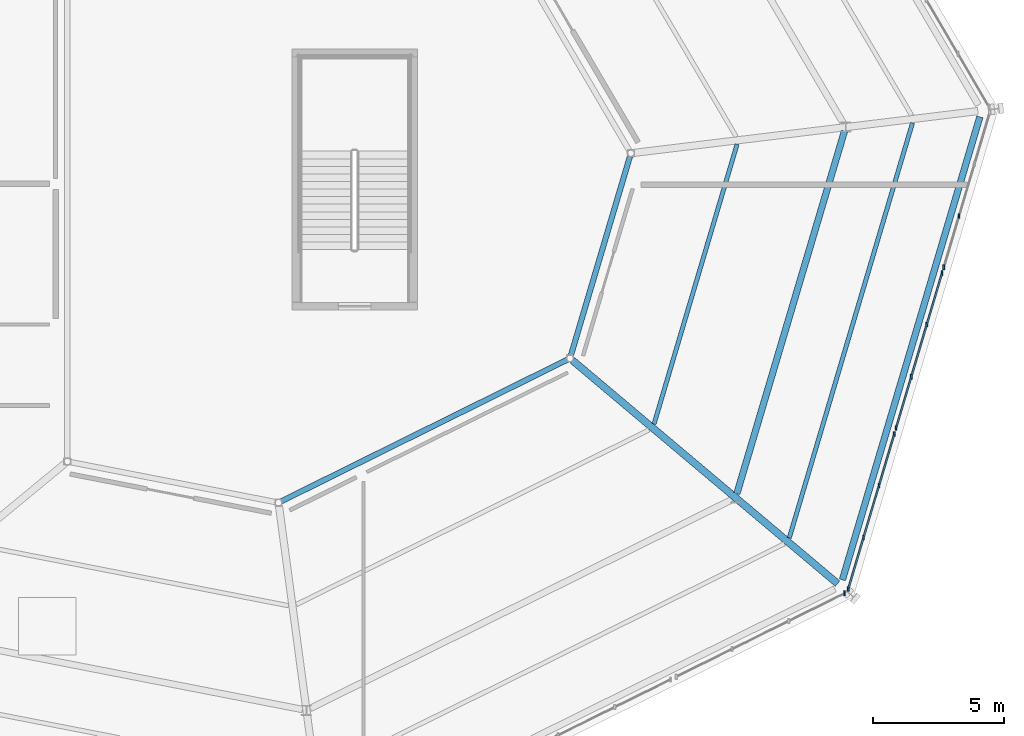
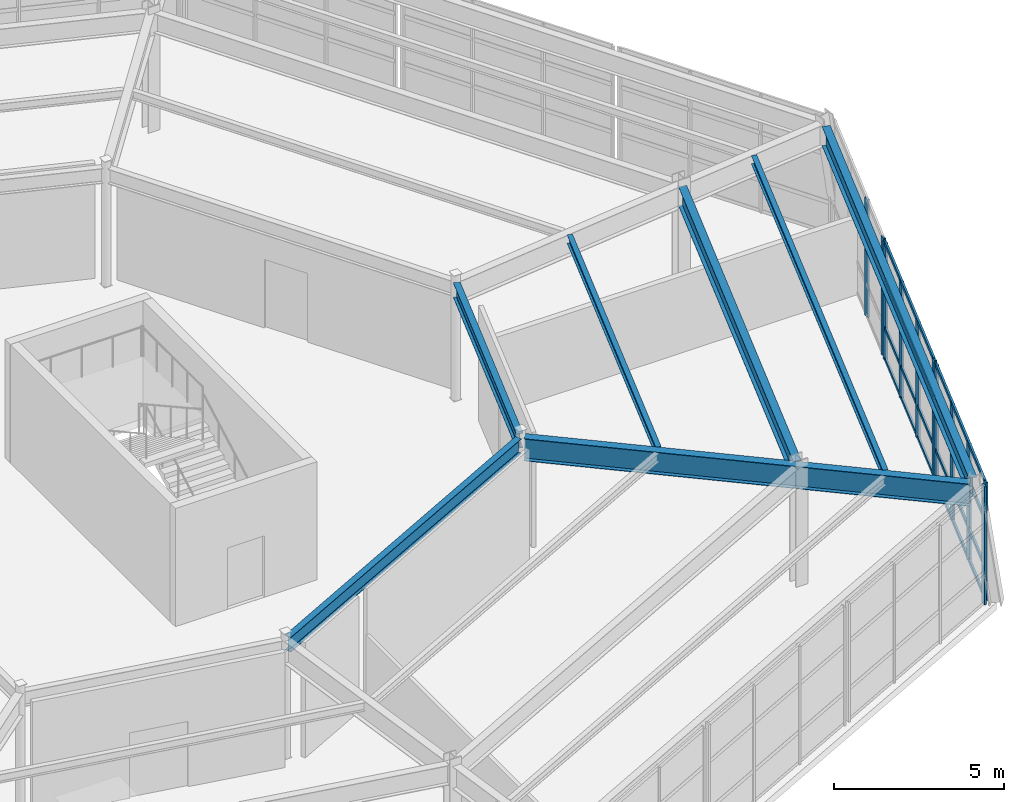
# One storey, part 45 of 88: 19 members, 7 beams, 4 elements without a shape of their own.
"""IFC4 building model written with IfcOpenShell, lengths in metres."""

from ifc_helpers import new_model, si_unit, direction, frame, origin, origin_2d, place, context, subcontext, project, spatial, rectangle, i_section, extrude, material, material_profile, profile_set, type_object, element, aggregate, save


model = new_model("IFC4")

# Units and contexts
model_context = context("Model", 3, precision=1e-05, world=origin(), true_north=direction((0.0, 1.0)))
body_context = subcontext(model_context, "Body", "Model", "MODEL_VIEW")
ifc_project = project(units=[si_unit("LENGTHUNIT", "METRE"), si_unit("AREAUNIT", "SQUARE_METRE"), si_unit("VOLUMEUNIT", "CUBIC_METRE"), si_unit("PLANEANGLEUNIT", "RADIAN"), si_unit("MASSUNIT", "GRAM", prefix="KILO")], contexts=[model_context])

# Site, building, storey
site_placement = place(None, origin())
site = spatial("IfcSite", under=ifc_project, at=site_placement, CompositionType="ELEMENT")
building_placement = place(site_placement, origin())
building = spatial("IfcBuilding", under=site, at=building_placement, Name="Sarnbrook Museum", CompositionType="ELEMENT")
storey_placement = place(building_placement, frame((0.0, 0.0, 10.10009765625)))
storey = spatial("IfcBuildingStorey", under=building, at=storey_placement, Name="L02", CompositionType="ELEMENT", Elevation=10.10009765625)

# Beams
ifc_material_1 = material(Name="Structural Steel Grade 300PLUS (AS/NZS 3679.1, fy = 280 MPa for 17 < t <= 40 mm, 300 MPa for t <= 17 mm)", Category="steel")
ifc_material_profile_1 = material_profile(ifc_material_1, i_section(OverallWidth=0.208984375, OverallDepth=0.532958984375, WebThickness=0.01025390625, FlangeThickness=0.015625, FilletRadius=0.013916015625, at=origin_2d()), Name="530UB92.4")
ifc_profile_set_1 = profile_set([ifc_material_profile_1], Name="Structural Steel Grade 300PLUS (AS/NZS 3679.1, fy = 280 MPa for 17 < t <= 40 mm, 300 MPa for t <= 17 mm)")
beam_type_1 = type_object("IfcBeamType", Name="BM-UB530", PredefinedType="BEAM", material=ifc_profile_set_1)
beam_1_placement = place(storey_placement, frame((140.99462890625, 72.882080078125, 3.973388671875), z_axis=(0.896163006555, 0.443724988796, 0.0), x_axis=(-0.443724988796, 0.896163006555, 0.0)))
element("IfcBeam", 1, at=beam_1_placement, inside=storey, type_object=beam_type_1, Name="Crystal Hall R2 Ring Girder 2 L02", PredefinedType="BEAM", context=body_context, shape_type="SweptSolid", body=[
    extrude(i_section(OverallWidth=0.208984375, OverallDepth=0.532958984375, WebThickness=0.01025390625, FlangeThickness=0.015625, FilletRadius=0.013916015625, at=origin_2d()), origin(), (0.0, 0.0, 1.0), 12.216796875),
])
beam_2_placement = place(storey_placement, frame((152.08447265625, 78.47119140625, 3.973388671875), z_axis=(0.284603578138, 0.958645295879, 0.0), x_axis=(-0.958645295879, 0.284603578138, 0.0)))
element("IfcBeam", 2, at=beam_2_placement, inside=storey, type_object=beam_type_1, Name="Crystal Hall R2 Ring Girder 3 L02", PredefinedType="BEAM", context=body_context, shape_type="SweptSolid", body=[
    extrude(i_section(OverallWidth=0.208984375, OverallDepth=0.532958984375, WebThickness=0.01025390625, FlangeThickness=0.015625, FilletRadius=0.013916015625, at=origin_2d()), origin(), (0.0, 0.0, 1.0), 7.952880859375),
])
ifc_material_2 = material(Name="Structural Steel Grade 350L0 (AS/NZS 3678, fy = 340 MPa for 20 < t <= 40 mm)", Category="steel")
ifc_material_profile_2 = material_profile(ifc_material_2, i_section(OverallWidth=0.25, OverallDepth=0.699951171875, WebThickness=0.010009765625, FlangeThickness=0.01611328125, at=origin_2d()), Name="700WB130")
ifc_profile_set_2 = profile_set([ifc_material_profile_2], Name="Structural Steel Grade 350L0 (AS/NZS 3678, fy = 340 MPa for 20 < t <= 40 mm)")
beam_type_2 = type_object("IfcBeamType", Name="BM-WB700", PredefinedType="BEAM", material=ifc_profile_set_2)
beam_3_placement = place(storey_placement, frame((162.482421875, 69.872314453125, 3.889892578125), z_axis=(0.284594308326, 0.958648047862, 0.0), x_axis=(-0.958648047862, 0.284594308326, 0.0)))
element("IfcBeam", 3, at=beam_3_placement, inside=storey, type_object=beam_type_2, Name="Crystal Hall Perimeter Ring Girder 3 L02", PredefinedType="BEAM", context=body_context, shape_type="SweptSolid", body=[
    extrude(i_section(OverallWidth=0.25, OverallDepth=0.699951171875, WebThickness=0.010009765625, FlangeThickness=0.01611328125, at=origin_2d()), origin(), (0.0, 0.0, 1.0), 18.4970703125),
])
beam_4_placement = place(storey_placement, frame((158.438232421875, 73.169189453125, 3.889892578125), z_axis=(0.284607000201, 0.958644279927, 0.0), x_axis=(-0.958644279927, 0.284607000201, 0.0)))
element("IfcBeam", 4, at=beam_4_placement, inside=storey, type_object=beam_type_2, Name="Crystal Hall R1 Ring Girder 3 L02", PredefinedType="BEAM", context=body_context, shape_type="SweptSolid", body=[
    extrude(i_section(OverallWidth=0.25, OverallDepth=0.699951171875, WebThickness=0.010009765625, FlangeThickness=0.01611328125, at=origin_2d()), origin(), (0.0, 0.0, 1.0), 14.48681640625),
])
ifc_material_profile_3 = material_profile(ifc_material_2, i_section(OverallWidth=0.27490234375, OverallDepth=0.800048828125, WebThickness=0.010009765625, FlangeThickness=0.01611328125, at=origin_2d()), Name="800WB146")
ifc_profile_set_3 = profile_set([ifc_material_profile_3], Name="Structural Steel Grade 350L0 (AS/NZS 3678, fy = 340 MPa for 20 < t <= 40 mm)")
beam_type_3 = type_object("IfcBeamType", Name="CR-CANT", PredefinedType="BEAM", material=ifc_profile_set_3)
beam_5_placement = place(storey_placement, frame((152.14208984375, 78.27880859375, 3.83984375), z_axis=(0.764964136159, -0.644072876615, 0.0), x_axis=(0.644072876615, 0.764964136159, 0.0)))
element("IfcBeam", 5, at=beam_5_placement, inside=storey, type_object=beam_type_3, Name="Crystal Hall Radial Cantilever Girder 3 L02", PredefinedType="BEAM", context=body_context, shape_type="SweptSolid", body=[
    extrude(i_section(OverallWidth=0.27490234375, OverallDepth=0.800048828125, WebThickness=0.010009765625, FlangeThickness=0.01611328125, at=origin_2d()), origin(), (0.0, 0.0, 1.0), 13.274169921875),
])

# Curtain wall, member
ifc_material_3 = material(Name="Thermally Broken Anodised Aluminium 6063-T6", Category="aluminium")
curtain_wall_type = type_object("IfcCurtainWallType", Name="CurtainWall_CrystalFacet", PredefinedType="NOTDEFINED", material=ifc_material_3)
curtain_wall_1_placement = place(storey_placement, origin())
curtain_wall_1 = element("IfcCurtainWall", 6, at=curtain_wall_1_placement, inside=storey, type_object=curtain_wall_type, Name="Crystal Hall Facet Curtain Wall L02-F2.3", PredefinedType="NOTDEFINED")
ifc_material_profile_4 = material_profile(ifc_material_3, rectangle(XDim=0.06494140625, YDim=0.179931640625, at=origin_2d()), Name="ALU MULLION 65x180")
ifc_profile_set_4 = profile_set([ifc_material_profile_4], Name="Thermally Broken Anodised Aluminium 6063-T6")
member_type_1 = type_object("IfcMemberType", Name="CW_Mullion_180x75", PredefinedType="MULLION", material=ifc_profile_set_4)
member_1_placement = place(storey_placement, frame((162.565185546875, 69.359130859375, 0.0), z_axis=(0.0, 0.0, 1.0), x_axis=(1.0, 0.0, 0.0)))
member_1 = element("IfcMember", 7, at=member_1_placement, type_object=member_type_1, Name="Crystal Hall Facet Curtain Wall L02-F2.3 Mullion 4", PredefinedType="MULLION", context=body_context, shape_type="SweptSolid", body=[
    extrude(rectangle(XDim=0.06494140625, YDim=0.179931640625, at=origin_2d()), origin(), (0.0, 0.0, 1.0), 4.239990234375),
])
aggregate(curtain_wall_1, [member_1])

# Curtain wall, members
curtain_wall_2_placement = place(storey_placement, origin())
curtain_wall_2 = element("IfcCurtainWall", 8, at=curtain_wall_2_placement, inside=storey, type_object=curtain_wall_type, Name="Crystal Hall Facet Curtain Wall L02-F3.1", PredefinedType="NOTDEFINED")
member_2_placement = place(storey_placement, frame((162.706787109375, 69.52734375, 0.0), z_axis=(0.0, 0.0, 1.0), x_axis=(1.0, 0.0, 0.0)))
member_2 = element("IfcMember", 9, at=member_2_placement, type_object=member_type_1, Name="Crystal Hall Facet Curtain Wall L02-F3.1 Mullion 1", PredefinedType="MULLION", context=body_context, shape_type="SweptSolid", body=[
    extrude(rectangle(XDim=0.06494140625, YDim=0.179931640625, at=origin_2d()), origin(), (0.0, 0.0, 1.0), 4.239990234375),
])
member_3_placement = place(storey_placement, frame((163.28955078125, 71.490478515625, 0.0), z_axis=(0.0, 0.0, 1.0), x_axis=(1.0, 0.0, 0.0)))
member_3 = element("IfcMember", 10, at=member_3_placement, type_object=member_type_1, Name="Crystal Hall Facet Curtain Wall L02-F3.1 Mullion 2", PredefinedType="MULLION", context=body_context, shape_type="SweptSolid", body=[
    extrude(rectangle(XDim=0.06494140625, YDim=0.179931640625, at=origin_2d()), origin(), (0.0, 0.0, 1.0), 4.239990234375),
])
member_4_placement = place(storey_placement, frame((163.8837890625, 73.491943359375, 0.0), z_axis=(0.0, 0.0, 1.0), x_axis=(1.0, 0.0, 0.0)))
member_4 = element("IfcMember", 11, at=member_4_placement, type_object=member_type_1, Name="Crystal Hall Facet Curtain Wall L02-F3.1 Mullion 3", PredefinedType="MULLION", context=body_context, shape_type="SweptSolid", body=[
    extrude(rectangle(XDim=0.06494140625, YDim=0.179931640625, at=origin_2d()), origin(), (0.0, 0.0, 1.0), 4.239990234375),
])
member_5_placement = place(storey_placement, frame((164.466552734375, 75.455078125, 0.0), z_axis=(0.0, 0.0, 1.0), x_axis=(1.0, 0.0, 0.0)))
member_5 = element("IfcMember", 12, at=member_5_placement, type_object=member_type_1, Name="Crystal Hall Facet Curtain Wall L02-F3.1 Mullion 4", PredefinedType="MULLION", context=body_context, shape_type="SweptSolid", body=[
    extrude(rectangle(XDim=0.06494140625, YDim=0.179931640625, at=origin_2d()), origin(), (0.0, 0.0, 1.0), 4.239990234375),
])

curtain_wall_3_placement = place(storey_placement, origin())
curtain_wall_3 = element("IfcCurtainWall", 13, at=curtain_wall_3_placement, inside=storey, type_object=curtain_wall_type, Name="Crystal Hall Facet Curtain Wall L02-F3.2", PredefinedType="NOTDEFINED")
member_6_placement = place(storey_placement, frame((164.534912109375, 75.68505859375, 0.0), z_axis=(0.0, 0.0, 1.0), x_axis=(1.0, 0.0, 0.0)))
member_6 = element("IfcMember", 14, at=member_6_placement, type_object=member_type_1, Name="Crystal Hall Facet Curtain Wall L02-F3.2 Mullion 1", PredefinedType="MULLION", context=body_context, shape_type="SweptSolid", body=[
    extrude(rectangle(XDim=0.06494140625, YDim=0.179931640625, at=origin_2d()), origin(), (0.0, 0.0, 1.0), 4.239990234375),
])
member_7_placement = place(storey_placement, frame((165.11767578125, 77.648193359375, 0.0), z_axis=(0.0, 0.0, 1.0), x_axis=(1.0, 0.0, 0.0)))
member_7 = element("IfcMember", 15, at=member_7_placement, type_object=member_type_1, Name="Crystal Hall Facet Curtain Wall L02-F3.2 Mullion 2", PredefinedType="MULLION", context=body_context, shape_type="SweptSolid", body=[
    extrude(rectangle(XDim=0.06494140625, YDim=0.179931640625, at=origin_2d()), origin(), (0.0, 0.0, 1.0), 4.239990234375),
])
member_8_placement = place(storey_placement, frame((165.7119140625, 79.649658203125, 0.0), z_axis=(0.0, 0.0, 1.0), x_axis=(1.0, 0.0, 0.0)))
member_8 = element("IfcMember", 16, at=member_8_placement, type_object=member_type_1, Name="Crystal Hall Facet Curtain Wall L02-F3.2 Mullion 3", PredefinedType="MULLION", context=body_context, shape_type="SweptSolid", body=[
    extrude(rectangle(XDim=0.06494140625, YDim=0.179931640625, at=origin_2d()), origin(), (0.0, 0.0, 1.0), 4.239990234375),
])
member_9_placement = place(storey_placement, frame((166.294677734375, 81.612548828125, 0.0), z_axis=(0.0, 0.0, 1.0), x_axis=(1.0, 0.0, 0.0)))
member_9 = element("IfcMember", 17, at=member_9_placement, type_object=member_type_1, Name="Crystal Hall Facet Curtain Wall L02-F3.2 Mullion 4", PredefinedType="MULLION", context=body_context, shape_type="SweptSolid", body=[
    extrude(rectangle(XDim=0.06494140625, YDim=0.179931640625, at=origin_2d()), origin(), (0.0, 0.0, 1.0), 4.239990234375),
])

curtain_wall_4_placement = place(storey_placement, origin())
curtain_wall_4 = element("IfcCurtainWall", 18, at=curtain_wall_4_placement, inside=storey, type_object=curtain_wall_type, Name="Crystal Hall Facet Curtain Wall L02-F3.3", PredefinedType="NOTDEFINED")
member_10_placement = place(storey_placement, frame((166.363037109375, 81.8427734375, 0.0), z_axis=(0.0, 0.0, 1.0), x_axis=(1.0, 0.0, 0.0)))
member_10 = element("IfcMember", 19, at=member_10_placement, type_object=member_type_1, Name="Crystal Hall Facet Curtain Wall L02-F3.3 Mullion 1", PredefinedType="MULLION", context=body_context, shape_type="SweptSolid", body=[
    extrude(rectangle(XDim=0.06494140625, YDim=0.179931640625, at=origin_2d()), origin(), (0.0, 0.0, 1.0), 4.239990234375),
])
member_11_placement = place(storey_placement, frame((166.94580078125, 83.805908203125, 0.0), z_axis=(0.0, 0.0, 1.0), x_axis=(1.0, 0.0, 0.0)))
member_11 = element("IfcMember", 20, at=member_11_placement, type_object=member_type_1, Name="Crystal Hall Facet Curtain Wall L02-F3.3 Mullion 2", PredefinedType="MULLION", context=body_context, shape_type="SweptSolid", body=[
    extrude(rectangle(XDim=0.06494140625, YDim=0.179931640625, at=origin_2d()), origin(), (0.0, 0.0, 1.0), 4.239990234375),
])
aggregate(curtain_wall_4, [member_10, member_11])

# Member
ifc_material_profile_5 = material_profile(ifc_material_3, rectangle(XDim=0.06494140625, YDim=0.139892578125, at=origin_2d()), Name="ALU TRANSOM 65x140")
ifc_profile_set_5 = profile_set([ifc_material_profile_5], Name="Thermally Broken Anodised Aluminium 6063-T6")
member_type_2 = type_object("IfcMemberType", Name="CW_Transom_150x65", PredefinedType="USERDEFINED", material=ifc_profile_set_5)
member_12_placement = place(storey_placement, frame((162.709716796875, 69.537109375, 0.039794921875), z_axis=(0.284621041288, 0.958640111228, 0.0), x_axis=(-0.958640111228, 0.284621041288, 0.0)))
member_12 = element("IfcMember", 21, at=member_12_placement, type_object=member_type_2, Name="Crystal Hall Facet Curtain Wall L02-F3.1 Transom 1", ObjectType="TRANSOM", PredefinedType="USERDEFINED", context=body_context, shape_type="SweptSolid", body=[
    extrude(rectangle(XDim=0.06494140625, YDim=0.139892578125, at=origin_2d()), origin(), (0.0, 0.0, 1.0), 6.1630859375),
])

member_13_placement = place(storey_placement, frame((162.709716796875, 69.537109375, 1.14990234375), z_axis=(0.284621041288, 0.958640111228, 0.0), x_axis=(-0.958640111228, 0.284621041288, 0.0)))
member_13 = element("IfcMember", 22, at=member_13_placement, type_object=member_type_2, Name="Crystal Hall Facet Curtain Wall L02-F3.1 Transom 2", ObjectType="TRANSOM", PredefinedType="USERDEFINED", context=body_context, shape_type="SweptSolid", body=[
    extrude(rectangle(XDim=0.06494140625, YDim=0.139892578125, at=origin_2d()), origin(), (0.0, 0.0, 1.0), 6.1630859375),
])

member_14_placement = place(storey_placement, frame((162.709716796875, 69.537109375, 2.849853515625), z_axis=(0.284621041288, 0.958640111228, 0.0), x_axis=(-0.958640111228, 0.284621041288, 0.0)))
member_14 = element("IfcMember", 23, at=member_14_placement, type_object=member_type_2, Name="Crystal Hall Facet Curtain Wall L02-F3.1 Transom 3", ObjectType="TRANSOM", PredefinedType="USERDEFINED", context=body_context, shape_type="SweptSolid", body=[
    extrude(rectangle(XDim=0.06494140625, YDim=0.139892578125, at=origin_2d()), origin(), (0.0, 0.0, 1.0), 6.1630859375),
])

member_15_placement = place(storey_placement, frame((162.709716796875, 69.537109375, 4.199951171875), z_axis=(0.284621041288, 0.958640111228, 0.0), x_axis=(-0.958640111228, 0.284621041288, 0.0)))
member_15 = element("IfcMember", 24, at=member_15_placement, type_object=member_type_2, Name="Crystal Hall Facet Curtain Wall L02-F3.1 Transom 4", ObjectType="TRANSOM", PredefinedType="USERDEFINED", context=body_context, shape_type="SweptSolid", body=[
    extrude(rectangle(XDim=0.06494140625, YDim=0.139892578125, at=origin_2d()), origin(), (0.0, 0.0, 1.0), 6.1630859375),
])

aggregate(curtain_wall_2, [member_2, member_3, member_4, member_5, member_12, member_13, member_14, member_15])

member_16_placement = place(storey_placement, frame((164.537841796875, 75.694580078125, 0.039794921875), z_axis=(0.284573829574, 0.95865412716, 0.0), x_axis=(-0.95865412716, 0.284573829574, 0.0)))
member_16 = element("IfcMember", 25, at=member_16_placement, type_object=member_type_2, Name="Crystal Hall Facet Curtain Wall L02-F3.2 Transom 1", ObjectType="TRANSOM", PredefinedType="USERDEFINED", context=body_context, shape_type="SweptSolid", body=[
    extrude(rectangle(XDim=0.06494140625, YDim=0.139892578125, at=origin_2d()), origin(), (0.0, 0.0, 1.0), 6.163330078125),
])

member_17_placement = place(storey_placement, frame((164.537841796875, 75.694580078125, 1.14990234375), z_axis=(0.284573829574, 0.95865412716, 0.0), x_axis=(-0.95865412716, 0.284573829574, 0.0)))
member_17 = element("IfcMember", 26, at=member_17_placement, type_object=member_type_2, Name="Crystal Hall Facet Curtain Wall L02-F3.2 Transom 2", ObjectType="TRANSOM", PredefinedType="USERDEFINED", context=body_context, shape_type="SweptSolid", body=[
    extrude(rectangle(XDim=0.06494140625, YDim=0.139892578125, at=origin_2d()), origin(), (0.0, 0.0, 1.0), 6.163330078125),
])

member_18_placement = place(storey_placement, frame((164.537841796875, 75.694580078125, 2.849853515625), z_axis=(0.284573829574, 0.95865412716, 0.0), x_axis=(-0.95865412716, 0.284573829574, 0.0)))
member_18 = element("IfcMember", 27, at=member_18_placement, type_object=member_type_2, Name="Crystal Hall Facet Curtain Wall L02-F3.2 Transom 3", ObjectType="TRANSOM", PredefinedType="USERDEFINED", context=body_context, shape_type="SweptSolid", body=[
    extrude(rectangle(XDim=0.06494140625, YDim=0.139892578125, at=origin_2d()), origin(), (0.0, 0.0, 1.0), 6.163330078125),
])

member_19_placement = place(storey_placement, frame((164.537841796875, 75.694580078125, 4.199951171875), z_axis=(0.284573829574, 0.95865412716, 0.0), x_axis=(-0.95865412716, 0.284573829574, 0.0)))
member_19 = element("IfcMember", 28, at=member_19_placement, type_object=member_type_2, Name="Crystal Hall Facet Curtain Wall L02-F3.2 Transom 4", ObjectType="TRANSOM", PredefinedType="USERDEFINED", context=body_context, shape_type="SweptSolid", body=[
    extrude(rectangle(XDim=0.06494140625, YDim=0.139892578125, at=origin_2d()), origin(), (0.0, 0.0, 1.0), 6.163330078125),
])

aggregate(curtain_wall_3, [member_6, member_7, member_8, member_9, member_16, member_17, member_18, member_19])

# Beams
ifc_material_profile_6 = material_profile(ifc_material_1, i_section(OverallWidth=0.1650390625, OverallDepth=0.303955078125, WebThickness=0.006103515625, FlangeThickness=0.01025390625, FilletRadius=0.011474609375, at=origin_2d()), Name="310UB40.4")
ifc_profile_set_6 = profile_set([ifc_material_profile_6], Name="Structural Steel Grade 300PLUS (AS/NZS 3679.1, fy = 280 MPa for 17 < t <= 40 mm, 300 MPa for t <= 17 mm)")
beam_type_4 = type_object("IfcBeamType", Name="JS-UB310", PredefinedType="JOIST", material=ifc_profile_set_6)
beam_6_placement = place(storey_placement, frame((160.447509765625, 71.4775390625, 4.087890625), z_axis=(0.28460061402, 0.958646175864, 0.0), x_axis=(-0.958646175864, 0.28460061402, 0.0)))
element("IfcBeam", 29, at=beam_6_placement, inside=storey, type_object=beam_type_4, Name="Crystal Hall Tangential Joist MO-3 L02", PredefinedType="JOIST", context=body_context, shape_type="SweptSolid", body=[
    extrude(i_section(OverallWidth=0.1650390625, OverallDepth=0.303955078125, WebThickness=0.006103515625, FlangeThickness=0.01025390625, FilletRadius=0.011474609375, at=origin_2d()), origin(), (0.0, 0.0, 1.0), 16.58203125),
])
beam_7_placement = place(storey_placement, frame((155.26708984375, 75.83935546875, 4.087890625), z_axis=(0.284608009206, 0.958643980368, 0.0), x_axis=(-0.958643980368, 0.284608009206, 0.0)))
element("IfcBeam", 30, at=beam_7_placement, inside=storey, type_object=beam_type_4, Name="Crystal Hall Tangential Joist MI-3 L02", PredefinedType="JOIST", context=body_context, shape_type="SweptSolid", body=[
    extrude(i_section(OverallWidth=0.1650390625, OverallDepth=0.303955078125, WebThickness=0.006103515625, FlangeThickness=0.01025390625, FilletRadius=0.011474609375, at=origin_2d()), origin(), (0.0, 0.0, 1.0), 11.179931640625),
])

save(model, "model.ifc")
